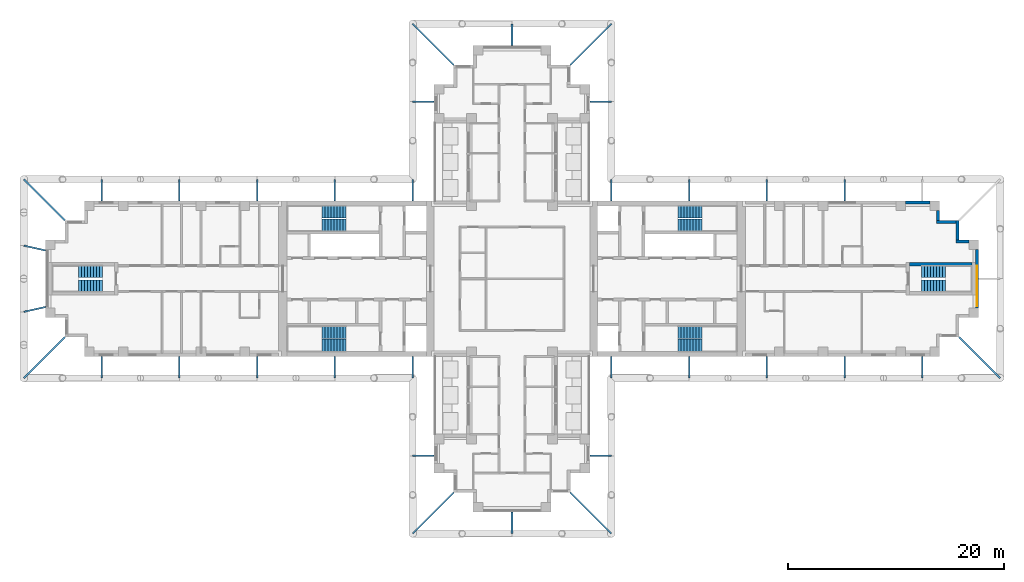
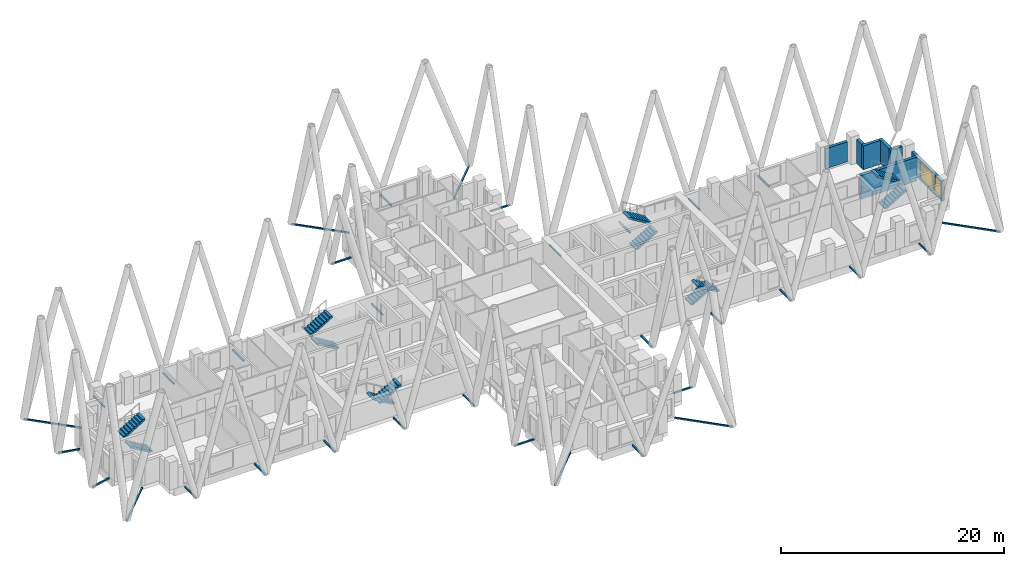
# One storey, part 10 of 13: 34 discrete accessories, 12 stair flights, 7 walls, 2 windows, 2 openings, 6 elements without a shape of their own.
"""IFC4 building model written with IfcOpenShell, lengths in metres."""

from ifc_helpers import new_model, si_unit, direction, frame, frame_2d, origin, origin_2d, place, context, subcontext, project, spatial, polyline, rectangle, hollow_rectangle, outline, extrude, material, layer, layer_set, type_object, element, fill, aggregate, save


model = new_model("IFC4")

# Units and contexts
model_context = context("Model", 3, precision=1e-05, world=origin(), true_north=direction((0.0, 1.0)))
body_context = subcontext(model_context, "Body", "Model", "MODEL_VIEW")
ifc_project = project(units=[si_unit("LENGTHUNIT", "METRE"), si_unit("AREAUNIT", "SQUARE_METRE"), si_unit("VOLUMEUNIT", "CUBIC_METRE"), si_unit("PLANEANGLEUNIT", "RADIAN"), si_unit("MASSUNIT", "GRAM", prefix="KILO")], contexts=[model_context])

# Site, building, storey
site_placement = place(None, origin())
site = spatial("IfcSite", under=ifc_project, at=site_placement, CompositionType="ELEMENT")
building_placement = place(site_placement, origin())
building = spatial("IfcBuilding", under=site, at=building_placement, Name="Fustian Cross Tower", CompositionType="ELEMENT")
storey_placement = place(building_placement, frame((0.0, 0.0, 153.300048828125)))
storey = spatial("IfcBuildingStorey", under=building, at=storey_placement, Name="L48", CompositionType="ELEMENT", Elevation=153.300048828125)

# Wall
ifc_material_1 = material(Name="Concrete C50/60", Category="concrete")
ifc_layer_1 = layer(ifc_material_1, 0.300048828125)
ifc_layer_set_1 = layer_set([ifc_layer_1], Name="Concrete C50/60")
wall_type_1 = type_object("IfcWallType", Name="STAIR ENCLOSURE WALL 300 C50/60", PredefinedType="SHEAR", material=ifc_layer_set_1)
wall_1_placement = place(storey_placement, frame((36.800048828125, 1.35009765625, 0.0), z_axis=(0.0, 0.0, 1.0), x_axis=(1.0, 0.0, 0.0)))
element("IfcWall", 1, at=wall_1_placement, inside=storey, type_object=wall_type_1, Name="Stair enclosure wall", PredefinedType="SHEAR", context=body_context, shape_type="SweptSolid", body=[
    extrude(rectangle(XDim=5.800048828125, YDim=0.300048828125, at=frame_2d((2.89990234375, 0.0))), origin(), (0.0, 0.0, 1.0), 2.599853515625),
])

# Wall, openings, windows
ifc_material_2 = material(Name="Dark aluminium cladding on insulated backing wall", Category="aluminium")
ifc_layer_2 = layer(ifc_material_2, 0.300048828125)
ifc_layer_set_2 = layer_set([ifc_layer_2], Name="Dark aluminium cladding on insulated backing wall")
wall_type_2 = type_object("IfcWallType", Name="XW1 EXTERNAL WALL 300", PredefinedType="SOLIDWALL", material=ifc_layer_set_2)
wall_2_placement = place(storey_placement, frame((43.050048828125, -2.699951171875, 0.0), z_axis=(0.0, 0.0, 1.0), x_axis=(0.0, 1.0, 0.0)))
wall_2 = element("IfcWall", 2, at=wall_2_placement, inside=storey, type_object=wall_type_2, Name="External wall", PredefinedType="SOLIDWALL", context=body_context, shape_type="SweptSolid", body=[
    extrude(rectangle(XDim=5.39990234375, YDim=0.300048828125, at=frame_2d((2.699951171875, 0.0))), origin(), (0.0, 0.0, 1.0), 2.199951171875),
])
opening_1_placement = place(wall_2_placement, frame((1.5, 0.0, 0.199951171875)))
opening_1 = element("IfcOpeningElement", 3, at=opening_1_placement, cuts=wall_2, Name="Opening WN1", PredefinedType="OPENING", context=body_context, shape_type="SweptSolid", body=[
    extrude(rectangle(XDim=2.39990234375, YDim=1.85009765625, at=frame_2d((1.199951171875, 0.925048828125))), frame((0.0, 0.159912109375, 0.0), z_axis=(0.0, -1.0, 0.0), x_axis=(1.0, 0.0, 0.0)), (0.0, 0.0, 1.0), 0.320068359375),
])
opening_2_placement = place(wall_2_placement, frame((0.14990234375, 0.0, 0.199951171875)))
opening_2 = element("IfcOpeningElement", 4, at=opening_2_placement, cuts=wall_2, Name="Opening WN3", PredefinedType="OPENING", context=body_context, shape_type="SweptSolid", body=[
    extrude(rectangle(XDim=1.199951171875, YDim=1.85009765625, at=frame_2d((0.60009765625, 0.925048828125))), frame((0.0, 0.159912109375, 0.0), z_axis=(0.0, -1.0, 0.0), x_axis=(1.0, 0.0, 0.0)), (0.0, 0.0, 1.0), 0.320068359375),
])
ifc_material_3 = material(Name="Dark anodised aluminium and double glazing", Category="aluminium")
window_type_1 = type_object("IfcWindowType", Name="WN1 WINDOW 2400X1850", PartitioningType="SINGLE_PANEL", PredefinedType="WINDOW", material=ifc_material_3)
window_1_placement = place(opening_1_placement, origin())
window_1 = element("IfcWindow", 5, at=window_1_placement, inside=storey, type_object=window_type_1, Name="Window", OverallHeight=1.85009765625, OverallWidth=2.39990234375, PartitioningType="SINGLE_PANEL", PredefinedType="WINDOW", context=body_context, shape_type="SweptSolid", body=[
    extrude(rectangle(XDim=2.39990234375, YDim=1.85009765625, at=frame_2d((1.199951171875, 0.925048828125))), frame((0.0, 0.030029296875, 0.0), z_axis=(0.0, -1.0, 0.0), x_axis=(1.0, 0.0, 0.0)), (0.0, 0.0, 1.0), 0.06005859375),
])
fill(opening_1, window_1)
ifc_material_4 = material(Name="Dark anodised aluminium and double glazing", Category="aluminium")
window_type_2 = type_object("IfcWindowType", Name="WN3 WINDOW 1200X1850", PartitioningType="SINGLE_PANEL", PredefinedType="WINDOW", material=ifc_material_4)
window_2_placement = place(opening_2_placement, origin())
window_2 = element("IfcWindow", 6, at=window_2_placement, inside=storey, type_object=window_type_2, Name="Window", OverallHeight=1.85009765625, OverallWidth=1.199951171875, PartitioningType="SINGLE_PANEL", PredefinedType="WINDOW", context=body_context, shape_type="SweptSolid", body=[
    extrude(rectangle(XDim=1.199951171875, YDim=1.85009765625, at=frame_2d((0.60009765625, 0.925048828125))), frame((0.0, 0.030029296875, 0.0), z_axis=(0.0, -1.0, 0.0), x_axis=(1.0, 0.0, 0.0)), (0.0, 0.0, 1.0), 0.06005859375),
])
fill(opening_2, window_2)

# Walls
wall_3_placement = place(storey_placement, frame((42.300048828125, 3.449951171875, 0.0), z_axis=(0.0, 0.0, 1.0), x_axis=(-1.0, 0.0, 0.0)))
element("IfcWall", 7, at=wall_3_placement, inside=storey, type_object=wall_type_2, Name="External wall", PredefinedType="SOLIDWALL", context=body_context, shape_type="SweptSolid", body=[
    extrude(rectangle(XDim=1.199951171875, YDim=0.300048828125, at=frame_2d((0.60009765625, 0.0))), origin(), (0.0, 0.0, 1.0), 2.599853515625),
])
wall_4_placement = place(storey_placement, frame((41.25, 3.60009765625, 0.0), z_axis=(0.0, 0.0, 1.0), x_axis=(0.0, 1.0, 0.0)))
element("IfcWall", 8, at=wall_4_placement, inside=storey, type_object=wall_type_2, Name="External wall", PredefinedType="SOLIDWALL", context=body_context, shape_type="SweptSolid", body=[
    extrude(rectangle(XDim=1.7998046875, YDim=0.300048828125, at=frame_2d((0.89990234375, 0.0))), origin(), (0.0, 0.0, 1.0), 2.599853515625),
])
wall_5_placement = place(storey_placement, frame((41.10009765625, 5.25, 0.0), z_axis=(0.0, 0.0, 1.0), x_axis=(-1.0, 0.0, 0.0)))
element("IfcWall", 9, at=wall_5_placement, inside=storey, type_object=wall_type_2, Name="External wall", PredefinedType="SOLIDWALL", context=body_context, shape_type="SweptSolid", body=[
    extrude(rectangle(XDim=1.800048828125, YDim=0.300048828125, at=frame_2d((0.89990234375, 0.0))), origin(), (0.0, 0.0, 1.0), 2.599853515625),
])
wall_6_placement = place(storey_placement, frame((39.449951171875, 5.39990234375, 0.0), z_axis=(0.0, 0.0, 1.0), x_axis=(0.0, 1.0, 0.0)))
element("IfcWall", 10, at=wall_6_placement, inside=storey, type_object=wall_type_2, Name="External wall", PredefinedType="SOLIDWALL", context=body_context, shape_type="SweptSolid", body=[
    extrude(rectangle(XDim=0.900146484375, YDim=0.300048828125, at=frame_2d((0.4501953125, 0.0))), origin(), (0.0, 0.0, 1.0), 2.599853515625),
])
wall_7_placement = place(storey_placement, frame((38.699951171875, 7.050048828125, 0.0), z_axis=(0.0, 0.0, 1.0), x_axis=(-1.0, 0.0, 0.0)))
element("IfcWall", 11, at=wall_7_placement, inside=storey, type_object=wall_type_2, Name="External wall", PredefinedType="SOLIDWALL", context=body_context, shape_type="SweptSolid", body=[
    extrude(rectangle(XDim=2.25, YDim=0.300048828125, at=frame_2d((1.125, 0.0))), origin(), (0.0, 0.0, 1.0), 2.199951171875),
])

# Stair, stair flights
ifc_material_5 = material(Name="Concrete C50/60", Category="concrete")
stair_type_1 = type_object("IfcStairType", Name="STAIR 1100 HALF TURN", PredefinedType="HALF_TURN_STAIR", material=ifc_material_5)
stair_1_placement = place(storey_placement, origin())
stair_1 = element("IfcStair", 12, at=stair_1_placement, inside=storey, type_object=stair_type_1, Name="Stair ST8", PredefinedType="HALF_TURN_STAIR")
ifc_material_6 = material(Name="Concrete C50/60", Category="concrete")
stair_flight_type_1 = type_object("IfcStairFlightType", Name="STAIR FLIGHT 1100", PredefinedType="STRAIGHT", material=ifc_material_6)
stair_flight_1_placement = place(storey_placement, frame((37.89990234375, -0.64990234375, 0.0), z_axis=(0.0, 0.0, 1.0), x_axis=(1.0, 0.0, 0.0)))
stair_flight_1 = element("IfcStairFlight", 13, at=stair_flight_1_placement, type_object=stair_flight_type_1, Name="ST8 flight 1", NumberOfRisers=9, NumberOfTreads=8, PredefinedType="STRAIGHT", RiserHeight=0.166666667, TreadLength=0.28, context=body_context, shape_type="SweptSolid", body=[
    extrude(outline(polyline([(0.0, 0.0), (0.0, 0.166748046875), (0.280029296875, 0.166748046875), (0.280029296875, 0.333251953125), (0.56005859375, 0.333251953125), (0.56005859375, 0.5), (0.840087890625, 0.5), (0.840087890625, 0.666748046875), (1.1201171875, 0.666748046875), (1.1201171875, 0.833251953125), (1.39990234375, 0.833251953125), (1.39990234375, 1.0), (1.679931640625, 1.0), (1.679931640625, 1.166748046875), (1.9599609375, 1.166748046875), (1.9599609375, 1.333251953125), (2.239990234375, 1.333251953125), (2.239990234375, 1.5), (2.239990234375, 1.158935546875), (0.29296875, 0.0), (0.0, 0.0)])), frame((0.0, 0.550048828125, 0.0), z_axis=(0.0, -1.0, 0.0), x_axis=(1.0, 0.0, 0.0)), (0.0, 0.0, 1.0), 1.10009765625),
])
stair_flight_2_placement = place(storey_placement, frame((40.139892578125, 0.64990234375, 1.5), z_axis=(0.0, 0.0, 1.0), x_axis=(-1.0, 0.0, 0.0)))
stair_flight_2 = element("IfcStairFlight", 14, at=stair_flight_2_placement, type_object=stair_flight_type_1, Name="ST8 flight 2", NumberOfRisers=9, NumberOfTreads=8, PredefinedType="STRAIGHT", RiserHeight=0.166666667, TreadLength=0.28, context=body_context, shape_type="SweptSolid", body=[
    extrude(outline(polyline([(0.0, 0.0), (0.0, 0.166748046875), (0.280029296875, 0.166748046875), (0.280029296875, 0.333251953125), (0.56005859375, 0.333251953125), (0.56005859375, 0.5), (0.840087890625, 0.5), (0.840087890625, 0.666748046875), (1.1201171875, 0.666748046875), (1.1201171875, 0.833251953125), (1.39990234375, 0.833251953125), (1.39990234375, 1.0), (1.679931640625, 1.0), (1.679931640625, 1.166748046875), (1.9599609375, 1.166748046875), (1.9599609375, 1.333251953125), (2.239990234375, 1.333251953125), (2.239990234375, 1.5), (2.239990234375, 1.158935546875), (0.29296875, 0.0), (0.0, 0.0)])), frame((0.0, 0.550048828125, 0.0), z_axis=(0.0, -1.0, 0.0), x_axis=(1.0, 0.0, 0.0)), (0.0, 0.0, 1.0), 1.10009765625),
])
aggregate(stair_1, [stair_flight_1, stair_flight_2])

stair_2_placement = place(storey_placement, origin())
stair_2 = element("IfcStair", 15, at=stair_2_placement, inside=storey, type_object=stair_type_1, Name="Stair ST9", PredefinedType="HALF_TURN_STAIR")
stair_flight_3_placement = place(storey_placement, frame((-37.89990234375, -0.64990234375, 0.0), z_axis=(0.0, 0.0, 1.0), x_axis=(-1.0, 0.0, 0.0)))
stair_flight_3 = element("IfcStairFlight", 16, at=stair_flight_3_placement, type_object=stair_flight_type_1, Name="ST9 flight 1", NumberOfRisers=9, NumberOfTreads=8, PredefinedType="STRAIGHT", RiserHeight=0.166666667, TreadLength=0.28, context=body_context, shape_type="SweptSolid", body=[
    extrude(outline(polyline([(0.0, 0.0), (0.0, 0.166748046875), (0.280029296875, 0.166748046875), (0.280029296875, 0.333251953125), (0.56005859375, 0.333251953125), (0.56005859375, 0.5), (0.840087890625, 0.5), (0.840087890625, 0.666748046875), (1.1201171875, 0.666748046875), (1.1201171875, 0.833251953125), (1.39990234375, 0.833251953125), (1.39990234375, 1.0), (1.679931640625, 1.0), (1.679931640625, 1.166748046875), (1.9599609375, 1.166748046875), (1.9599609375, 1.333251953125), (2.239990234375, 1.333251953125), (2.239990234375, 1.5), (2.239990234375, 1.158935546875), (0.29296875, 0.0), (0.0, 0.0)])), frame((0.0, 0.550048828125, 0.0), z_axis=(0.0, -1.0, 0.0), x_axis=(1.0, 0.0, 0.0)), (0.0, 0.0, 1.0), 1.10009765625),
])
stair_flight_4_placement = place(storey_placement, frame((-40.139892578125, 0.64990234375, 1.5), z_axis=(0.0, 0.0, 1.0), x_axis=(1.0, 0.0, 0.0)))
stair_flight_4 = element("IfcStairFlight", 17, at=stair_flight_4_placement, type_object=stair_flight_type_1, Name="ST9 flight 2", NumberOfRisers=9, NumberOfTreads=8, PredefinedType="STRAIGHT", RiserHeight=0.166666667, TreadLength=0.28, context=body_context, shape_type="SweptSolid", body=[
    extrude(outline(polyline([(0.0, 0.0), (0.0, 0.166748046875), (0.280029296875, 0.166748046875), (0.280029296875, 0.333251953125), (0.56005859375, 0.333251953125), (0.56005859375, 0.5), (0.840087890625, 0.5), (0.840087890625, 0.666748046875), (1.1201171875, 0.666748046875), (1.1201171875, 0.833251953125), (1.39990234375, 0.833251953125), (1.39990234375, 1.0), (1.679931640625, 1.0), (1.679931640625, 1.166748046875), (1.9599609375, 1.166748046875), (1.9599609375, 1.333251953125), (2.239990234375, 1.333251953125), (2.239990234375, 1.5), (2.239990234375, 1.158935546875), (0.29296875, 0.0), (0.0, 0.0)])), frame((0.0, 0.550048828125, 0.0), z_axis=(0.0, -1.0, 0.0), x_axis=(1.0, 0.0, 0.0)), (0.0, 0.0, 1.0), 1.10009765625),
])
aggregate(stair_2, [stair_flight_3, stair_flight_4])

ifc_material_7 = material(Name="Concrete C50/60", Category="concrete")
stair_type_2 = type_object("IfcStairType", Name="STAIR 1150 HALF TURN", PredefinedType="HALF_TURN_STAIR", material=ifc_material_7)
stair_3_placement = place(storey_placement, origin())
stair_3 = element("IfcStair", 18, at=stair_3_placement, inside=storey, type_object=stair_type_2, Name="Stair ST1", PredefinedType="HALF_TURN_STAIR")
ifc_material_8 = material(Name="Concrete C50/60", Category="concrete")
stair_flight_type_2 = type_object("IfcStairFlightType", Name="STAIR FLIGHT 1150", PredefinedType="STRAIGHT", material=ifc_material_8)
stair_flight_5_placement = place(storey_placement, frame((15.35009765625, 4.97509765625, 0.0), z_axis=(0.0, 0.0, 1.0), x_axis=(1.0, 0.0, 0.0)))
stair_flight_5 = element("IfcStairFlight", 19, at=stair_flight_5_placement, type_object=stair_flight_type_2, Name="ST1 flight 1", NumberOfRisers=9, NumberOfTreads=8, PredefinedType="STRAIGHT", RiserHeight=0.166666667, TreadLength=0.28, context=body_context, shape_type="SweptSolid", body=[
    extrude(outline(polyline([(0.0, 0.0), (0.0, 0.166748046875), (0.280029296875, 0.166748046875), (0.280029296875, 0.333251953125), (0.56005859375, 0.333251953125), (0.56005859375, 0.5), (0.840087890625, 0.5), (0.840087890625, 0.666748046875), (1.1201171875, 0.666748046875), (1.1201171875, 0.833251953125), (1.39990234375, 0.833251953125), (1.39990234375, 1.0), (1.679931640625, 1.0), (1.679931640625, 1.166748046875), (1.9599609375, 1.166748046875), (1.9599609375, 1.333251953125), (2.239990234375, 1.333251953125), (2.239990234375, 1.5), (2.239990234375, 1.158935546875), (0.29296875, 0.0), (0.0, 0.0)])), frame((0.0, 0.574951171875, 0.0), z_axis=(0.0, -1.0, 0.0), x_axis=(1.0, 0.0, 0.0)), (0.0, 0.0, 1.0), 1.14990234375),
])
stair_flight_6_placement = place(storey_placement, frame((17.590087890625, 6.175048828125, 1.5), z_axis=(0.0, 0.0, 1.0), x_axis=(-1.0, 0.0, 0.0)))
stair_flight_6 = element("IfcStairFlight", 20, at=stair_flight_6_placement, type_object=stair_flight_type_2, Name="ST1 flight 2", NumberOfRisers=9, NumberOfTreads=8, PredefinedType="STRAIGHT", RiserHeight=0.166666667, TreadLength=0.28, context=body_context, shape_type="SweptSolid", body=[
    extrude(outline(polyline([(0.0, 0.0), (0.0, 0.166748046875), (0.280029296875, 0.166748046875), (0.280029296875, 0.333251953125), (0.56005859375, 0.333251953125), (0.56005859375, 0.5), (0.840087890625, 0.5), (0.840087890625, 0.666748046875), (1.1201171875, 0.666748046875), (1.1201171875, 0.833251953125), (1.39990234375, 0.833251953125), (1.39990234375, 1.0), (1.679931640625, 1.0), (1.679931640625, 1.166748046875), (1.9599609375, 1.166748046875), (1.9599609375, 1.333251953125), (2.239990234375, 1.333251953125), (2.239990234375, 1.5), (2.239990234375, 1.158935546875), (0.29296875, 0.0), (0.0, 0.0)])), frame((0.0, 0.574951171875, 0.0), z_axis=(0.0, -1.0, 0.0), x_axis=(1.0, 0.0, 0.0)), (0.0, 0.0, 1.0), 1.14990234375),
])
aggregate(stair_3, [stair_flight_5, stair_flight_6])

stair_4_placement = place(storey_placement, origin())
stair_4 = element("IfcStair", 21, at=stair_4_placement, inside=storey, type_object=stair_type_2, Name="Stair ST2", PredefinedType="HALF_TURN_STAIR")
stair_flight_7_placement = place(storey_placement, frame((15.35009765625, -4.97509765625, 0.0), z_axis=(0.0, 0.0, 1.0), x_axis=(1.0, 0.0, 0.0)))
stair_flight_7 = element("IfcStairFlight", 22, at=stair_flight_7_placement, type_object=stair_flight_type_2, Name="ST2 flight 1", NumberOfRisers=9, NumberOfTreads=8, PredefinedType="STRAIGHT", RiserHeight=0.166666667, TreadLength=0.28, context=body_context, shape_type="SweptSolid", body=[
    extrude(outline(polyline([(0.0, 0.0), (0.0, 0.166748046875), (0.280029296875, 0.166748046875), (0.280029296875, 0.333251953125), (0.56005859375, 0.333251953125), (0.56005859375, 0.5), (0.840087890625, 0.5), (0.840087890625, 0.666748046875), (1.1201171875, 0.666748046875), (1.1201171875, 0.833251953125), (1.39990234375, 0.833251953125), (1.39990234375, 1.0), (1.679931640625, 1.0), (1.679931640625, 1.166748046875), (1.9599609375, 1.166748046875), (1.9599609375, 1.333251953125), (2.239990234375, 1.333251953125), (2.239990234375, 1.5), (2.239990234375, 1.158935546875), (0.29296875, 0.0), (0.0, 0.0)])), frame((0.0, 0.574951171875, 0.0), z_axis=(0.0, -1.0, 0.0), x_axis=(1.0, 0.0, 0.0)), (0.0, 0.0, 1.0), 1.14990234375),
])
stair_flight_8_placement = place(storey_placement, frame((17.590087890625, -6.175048828125, 1.5), z_axis=(0.0, 0.0, 1.0), x_axis=(-1.0, 0.0, 0.0)))
stair_flight_8 = element("IfcStairFlight", 23, at=stair_flight_8_placement, type_object=stair_flight_type_2, Name="ST2 flight 2", NumberOfRisers=9, NumberOfTreads=8, PredefinedType="STRAIGHT", RiserHeight=0.166666667, TreadLength=0.28, context=body_context, shape_type="SweptSolid", body=[
    extrude(outline(polyline([(0.0, 0.0), (0.0, 0.166748046875), (0.280029296875, 0.166748046875), (0.280029296875, 0.333251953125), (0.56005859375, 0.333251953125), (0.56005859375, 0.5), (0.840087890625, 0.5), (0.840087890625, 0.666748046875), (1.1201171875, 0.666748046875), (1.1201171875, 0.833251953125), (1.39990234375, 0.833251953125), (1.39990234375, 1.0), (1.679931640625, 1.0), (1.679931640625, 1.166748046875), (1.9599609375, 1.166748046875), (1.9599609375, 1.333251953125), (2.239990234375, 1.333251953125), (2.239990234375, 1.5), (2.239990234375, 1.158935546875), (0.29296875, 0.0), (0.0, 0.0)])), frame((0.0, 0.574951171875, 0.0), z_axis=(0.0, -1.0, 0.0), x_axis=(1.0, 0.0, 0.0)), (0.0, 0.0, 1.0), 1.14990234375),
])
aggregate(stair_4, [stair_flight_7, stair_flight_8])

stair_5_placement = place(storey_placement, origin())
stair_5 = element("IfcStair", 24, at=stair_5_placement, inside=storey, type_object=stair_type_2, Name="Stair ST3", PredefinedType="HALF_TURN_STAIR")
stair_flight_9_placement = place(storey_placement, frame((-15.35009765625, 4.97509765625, 0.0), z_axis=(0.0, 0.0, 1.0), x_axis=(-1.0, 0.0, 0.0)))
stair_flight_9 = element("IfcStairFlight", 25, at=stair_flight_9_placement, type_object=stair_flight_type_2, Name="ST3 flight 1", NumberOfRisers=9, NumberOfTreads=8, PredefinedType="STRAIGHT", RiserHeight=0.166666667, TreadLength=0.28, context=body_context, shape_type="SweptSolid", body=[
    extrude(outline(polyline([(0.0, 0.0), (0.0, 0.166748046875), (0.280029296875, 0.166748046875), (0.280029296875, 0.333251953125), (0.56005859375, 0.333251953125), (0.56005859375, 0.5), (0.840087890625, 0.5), (0.840087890625, 0.666748046875), (1.1201171875, 0.666748046875), (1.1201171875, 0.833251953125), (1.39990234375, 0.833251953125), (1.39990234375, 1.0), (1.679931640625, 1.0), (1.679931640625, 1.166748046875), (1.9599609375, 1.166748046875), (1.9599609375, 1.333251953125), (2.239990234375, 1.333251953125), (2.239990234375, 1.5), (2.239990234375, 1.158935546875), (0.29296875, 0.0), (0.0, 0.0)])), frame((0.0, 0.574951171875, 0.0), z_axis=(0.0, -1.0, 0.0), x_axis=(1.0, 0.0, 0.0)), (0.0, 0.0, 1.0), 1.14990234375),
])
stair_flight_10_placement = place(storey_placement, frame((-17.590087890625, 6.175048828125, 1.5), z_axis=(0.0, 0.0, 1.0), x_axis=(1.0, 0.0, 0.0)))
stair_flight_10 = element("IfcStairFlight", 26, at=stair_flight_10_placement, type_object=stair_flight_type_2, Name="ST3 flight 2", NumberOfRisers=9, NumberOfTreads=8, PredefinedType="STRAIGHT", RiserHeight=0.166666667, TreadLength=0.28, context=body_context, shape_type="SweptSolid", body=[
    extrude(outline(polyline([(0.0, 0.0), (0.0, 0.166748046875), (0.280029296875, 0.166748046875), (0.280029296875, 0.333251953125), (0.56005859375, 0.333251953125), (0.56005859375, 0.5), (0.840087890625, 0.5), (0.840087890625, 0.666748046875), (1.1201171875, 0.666748046875), (1.1201171875, 0.833251953125), (1.39990234375, 0.833251953125), (1.39990234375, 1.0), (1.679931640625, 1.0), (1.679931640625, 1.166748046875), (1.9599609375, 1.166748046875), (1.9599609375, 1.333251953125), (2.239990234375, 1.333251953125), (2.239990234375, 1.5), (2.239990234375, 1.158935546875), (0.29296875, 0.0), (0.0, 0.0)])), frame((0.0, 0.574951171875, 0.0), z_axis=(0.0, -1.0, 0.0), x_axis=(1.0, 0.0, 0.0)), (0.0, 0.0, 1.0), 1.14990234375),
])
aggregate(stair_5, [stair_flight_9, stair_flight_10])

stair_6_placement = place(storey_placement, origin())
stair_6 = element("IfcStair", 27, at=stair_6_placement, inside=storey, type_object=stair_type_2, Name="Stair ST4", PredefinedType="HALF_TURN_STAIR")
stair_flight_11_placement = place(storey_placement, frame((-15.35009765625, -4.97509765625, 0.0), z_axis=(0.0, 0.0, 1.0), x_axis=(-1.0, 0.0, 0.0)))
stair_flight_11 = element("IfcStairFlight", 28, at=stair_flight_11_placement, type_object=stair_flight_type_2, Name="ST4 flight 1", NumberOfRisers=9, NumberOfTreads=8, PredefinedType="STRAIGHT", RiserHeight=0.166666667, TreadLength=0.28, context=body_context, shape_type="SweptSolid", body=[
    extrude(outline(polyline([(0.0, 0.0), (0.0, 0.166748046875), (0.280029296875, 0.166748046875), (0.280029296875, 0.333251953125), (0.56005859375, 0.333251953125), (0.56005859375, 0.5), (0.840087890625, 0.5), (0.840087890625, 0.666748046875), (1.1201171875, 0.666748046875), (1.1201171875, 0.833251953125), (1.39990234375, 0.833251953125), (1.39990234375, 1.0), (1.679931640625, 1.0), (1.679931640625, 1.166748046875), (1.9599609375, 1.166748046875), (1.9599609375, 1.333251953125), (2.239990234375, 1.333251953125), (2.239990234375, 1.5), (2.239990234375, 1.158935546875), (0.29296875, 0.0), (0.0, 0.0)])), frame((0.0, 0.574951171875, 0.0), z_axis=(0.0, -1.0, 0.0), x_axis=(1.0, 0.0, 0.0)), (0.0, 0.0, 1.0), 1.14990234375),
])
stair_flight_12_placement = place(storey_placement, frame((-17.590087890625, -6.175048828125, 1.5), z_axis=(0.0, 0.0, 1.0), x_axis=(1.0, 0.0, 0.0)))
stair_flight_12 = element("IfcStairFlight", 29, at=stair_flight_12_placement, type_object=stair_flight_type_2, Name="ST4 flight 2", NumberOfRisers=9, NumberOfTreads=8, PredefinedType="STRAIGHT", RiserHeight=0.166666667, TreadLength=0.28, context=body_context, shape_type="SweptSolid", body=[
    extrude(outline(polyline([(0.0, 0.0), (0.0, 0.166748046875), (0.280029296875, 0.166748046875), (0.280029296875, 0.333251953125), (0.56005859375, 0.333251953125), (0.56005859375, 0.5), (0.840087890625, 0.5), (0.840087890625, 0.666748046875), (1.1201171875, 0.666748046875), (1.1201171875, 0.833251953125), (1.39990234375, 0.833251953125), (1.39990234375, 1.0), (1.679931640625, 1.0), (1.679931640625, 1.166748046875), (1.9599609375, 1.166748046875), (1.9599609375, 1.333251953125), (2.239990234375, 1.333251953125), (2.239990234375, 1.5), (2.239990234375, 1.158935546875), (0.29296875, 0.0), (0.0, 0.0)])), frame((0.0, 0.574951171875, 0.0), z_axis=(0.0, -1.0, 0.0), x_axis=(1.0, 0.0, 0.0)), (0.0, 0.0, 1.0), 1.14990234375),
])
aggregate(stair_6, [stair_flight_11, stair_flight_12])

# Discrete accessories
ifc_material_9 = material(Name="Steel S355", Category="steel")
for number, where, z_axis, x_axis, name in (
    (30, (30.800048828125, 9.199951171875, -0.150146484375), (0.0, -1.0, 0.0), (1.0, 0.0, 0.0), "Diagrid node bracket L48-04"),
    (31, (23.60009765625, 9.199951171875, -0.150146484375), (0.0, -1.0, 0.0), (1.0, 0.0, 0.0), "Diagrid node bracket L48-05"),
    (32, (16.39990234375, 9.199951171875, -0.150146484375), (0.0, -1.0, 0.0), (1.0, 0.0, 0.0), "Diagrid node bracket L48-06"),
    (33, (9.199951171875, 9.199951171875, -0.150146484375), (0.0, -1.0, 0.0), (1.0, 0.0, 0.0), "Diagrid node bracket L48-07"),
    (34, (9.199951171875, 16.39990234375, -0.150146484375), (-1.0, 0.0, 0.0), (0.0, -1.0, 0.0), "Diagrid node bracket L48-08"),
):
    element("IfcDiscreteAccessory", number, at=place(storey_placement, frame(where, z_axis=z_axis, x_axis=x_axis)), inside=storey, material=ifc_material_9, Name=name, PredefinedType="BRACKET", context=body_context, shape_type="SweptSolid", body=[
        extrude(hollow_rectangle(XDim=0.14990234375, YDim=0.14990234375, WallThickness=0.010009765625, at=origin_2d()), origin(), (0.0, 0.0, 1.0), 2.0),
    ])
discrete_accessory_1_placement = place(storey_placement, frame((9.199951171875, 23.60009765625, -0.150146484375), z_axis=(-0.707106781187, -0.707106781187, 0.0), x_axis=(0.707106781187, -0.707106781187, 0.0)))
element("IfcDiscreteAccessory", 35, at=discrete_accessory_1_placement, inside=storey, material=ifc_material_9, Name="Diagrid node bracket L48-09", PredefinedType="BRACKET", context=body_context, shape_type="SweptSolid", body=[
    extrude(hollow_rectangle(XDim=0.14990234375, YDim=0.14990234375, WallThickness=0.010009765625, at=origin_2d()), origin(), (0.0, 0.0, 1.0), 5.3740234375),
])
discrete_accessory_2_placement = place(storey_placement, frame((0.0, 23.60009765625, -0.150146484375), z_axis=(0.0, -1.0, 0.0), x_axis=(1.0, 0.0, 0.0)))
element("IfcDiscreteAccessory", 36, at=discrete_accessory_2_placement, inside=storey, material=ifc_material_9, Name="Diagrid node bracket L48-10", PredefinedType="BRACKET", context=body_context, shape_type="SweptSolid", body=[
    extrude(hollow_rectangle(XDim=0.14990234375, YDim=0.14990234375, WallThickness=0.010009765625, at=origin_2d()), origin(), (0.0, 0.0, 1.0), 2.0),
])
discrete_accessory_3_placement = place(storey_placement, frame((-9.199951171875, 23.60009765625, -0.150146484375), z_axis=(0.707106781187, -0.707106781187, 0.0), x_axis=(0.707106781187, 0.707106781187, 0.0)))
element("IfcDiscreteAccessory", 37, at=discrete_accessory_3_placement, inside=storey, material=ifc_material_9, Name="Diagrid node bracket L48-11", PredefinedType="BRACKET", context=body_context, shape_type="SweptSolid", body=[
    extrude(hollow_rectangle(XDim=0.14990234375, YDim=0.14990234375, WallThickness=0.010009765625, at=origin_2d()), origin(), (0.0, 0.0, 1.0), 5.3740234375),
])
for number, where, z_axis, x_axis, name in (
    (38, (-9.199951171875, 16.39990234375, -0.150146484375), (1.0, 0.0, 0.0), (0.0, 1.0, 0.0), "Diagrid node bracket L48-12"),
    (39, (-9.199951171875, 9.199951171875, -0.150146484375), (0.0, -1.0, 0.0), (1.0, 0.0, 0.0), "Diagrid node bracket L48-13"),
    (40, (-16.39990234375, 9.199951171875, -0.150146484375), (0.0, -1.0, 0.0), (1.0, 0.0, 0.0), "Diagrid node bracket L48-14"),
    (41, (-23.60009765625, 9.199951171875, -0.150146484375), (0.0, -1.0, 0.0), (1.0, 0.0, 0.0), "Diagrid node bracket L48-15"),
    (42, (-30.800048828125, 9.199951171875, -0.150146484375), (0.0, -1.0, 0.0), (1.0, 0.0, 0.0), "Diagrid node bracket L48-16"),
    (43, (-38.0, 9.199951171875, -0.150146484375), (0.0, -1.0, 0.0), (1.0, 0.0, 0.0), "Diagrid node bracket L48-17"),
):
    element("IfcDiscreteAccessory", number, at=place(storey_placement, frame(where, z_axis=z_axis, x_axis=x_axis)), inside=storey, material=ifc_material_9, Name=name, PredefinedType="BRACKET", context=body_context, shape_type="SweptSolid", body=[
        extrude(hollow_rectangle(XDim=0.14990234375, YDim=0.14990234375, WallThickness=0.010009765625, at=origin_2d()), origin(), (0.0, 0.0, 1.0), 2.0),
    ])
discrete_accessory_4_placement = place(storey_placement, frame((-45.199951171875, 9.199951171875, -0.150146484375), z_axis=(0.707106781187, -0.707106781187, 0.0), x_axis=(0.707106781187, 0.707106781187, 0.0)))
element("IfcDiscreteAccessory", 44, at=discrete_accessory_4_placement, inside=storey, material=ifc_material_9, Name="Diagrid node bracket L48-18", PredefinedType="BRACKET", context=body_context, shape_type="SweptSolid", body=[
    extrude(hollow_rectangle(XDim=0.14990234375, YDim=0.14990234375, WallThickness=0.010009765625, at=origin_2d()), origin(), (0.0, 0.0, 1.0), 5.3740234375),
])
for number, where, z_axis, x_axis, name in (
    (45, (-45.199951171875, 3.066650390625, -0.150146484375), (0.97561485681, -0.21948952406, 0.0), (0.21948952406, 0.97561485681, 0.0), "Diagrid node bracket L48-19"),
    (46, (-45.199951171875, -3.066650390625, -0.150146484375), (0.97561485681, 0.21948952406, 0.0), (-0.21948952406, 0.97561485681, 0.0), "Diagrid node bracket L48-20"),
):
    element("IfcDiscreteAccessory", number, at=place(storey_placement, frame(where, z_axis=z_axis, x_axis=x_axis)), inside=storey, material=ifc_material_9, Name=name, PredefinedType="BRACKET", context=body_context, shape_type="SweptSolid", body=[
        extrude(hollow_rectangle(XDim=0.14990234375, YDim=0.14990234375, WallThickness=0.010009765625, at=origin_2d()), origin(), (0.0, 0.0, 1.0), 2.050048828125),
    ])
discrete_accessory_5_placement = place(storey_placement, frame((-45.199951171875, -9.199951171875, -0.150146484375), z_axis=(0.707106781187, 0.707106781187, 0.0), x_axis=(-0.707106781187, 0.707106781187, 0.0)))
element("IfcDiscreteAccessory", 47, at=discrete_accessory_5_placement, inside=storey, material=ifc_material_9, Name="Diagrid node bracket L48-21", PredefinedType="BRACKET", context=body_context, shape_type="SweptSolid", body=[
    extrude(hollow_rectangle(XDim=0.14990234375, YDim=0.14990234375, WallThickness=0.010009765625, at=origin_2d()), origin(), (0.0, 0.0, 1.0), 5.3740234375),
])
for number, where, z_axis, x_axis, name in (
    (48, (-38.0, -9.199951171875, -0.150146484375), (0.0, 1.0, 0.0), (-1.0, 0.0, 0.0), "Diagrid node bracket L48-22"),
    (49, (-30.800048828125, -9.199951171875, -0.150146484375), (0.0, 1.0, 0.0), (-1.0, 0.0, 0.0), "Diagrid node bracket L48-23"),
    (50, (-23.60009765625, -9.199951171875, -0.150146484375), (0.0, 1.0, 0.0), (-1.0, 0.0, 0.0), "Diagrid node bracket L48-24"),
    (51, (-16.39990234375, -9.199951171875, -0.150146484375), (0.0, 1.0, 0.0), (-1.0, 0.0, 0.0), "Diagrid node bracket L48-25"),
    (52, (-9.199951171875, -9.199951171875, -0.150146484375), (0.0, 1.0, 0.0), (-1.0, 0.0, 0.0), "Diagrid node bracket L48-26"),
    (53, (-9.199951171875, -16.39990234375, -0.150146484375), (1.0, 0.0, 0.0), (0.0, 1.0, 0.0), "Diagrid node bracket L48-27"),
):
    element("IfcDiscreteAccessory", number, at=place(storey_placement, frame(where, z_axis=z_axis, x_axis=x_axis)), inside=storey, material=ifc_material_9, Name=name, PredefinedType="BRACKET", context=body_context, shape_type="SweptSolid", body=[
        extrude(hollow_rectangle(XDim=0.14990234375, YDim=0.14990234375, WallThickness=0.010009765625, at=origin_2d()), origin(), (0.0, 0.0, 1.0), 2.0),
    ])
discrete_accessory_6_placement = place(storey_placement, frame((-9.199951171875, -23.60009765625, -0.150146484375), z_axis=(0.707106781187, 0.707106781187, 0.0), x_axis=(-0.707106781187, 0.707106781187, 0.0)))
element("IfcDiscreteAccessory", 54, at=discrete_accessory_6_placement, inside=storey, material=ifc_material_9, Name="Diagrid node bracket L48-28", PredefinedType="BRACKET", context=body_context, shape_type="SweptSolid", body=[
    extrude(hollow_rectangle(XDim=0.14990234375, YDim=0.14990234375, WallThickness=0.010009765625, at=origin_2d()), origin(), (0.0, 0.0, 1.0), 5.3740234375),
])
discrete_accessory_7_placement = place(storey_placement, frame((0.0, -23.60009765625, -0.150146484375), z_axis=(0.0, 1.0, 0.0), x_axis=(-1.0, 0.0, 0.0)))
element("IfcDiscreteAccessory", 55, at=discrete_accessory_7_placement, inside=storey, material=ifc_material_9, Name="Diagrid node bracket L48-29", PredefinedType="BRACKET", context=body_context, shape_type="SweptSolid", body=[
    extrude(hollow_rectangle(XDim=0.14990234375, YDim=0.14990234375, WallThickness=0.010009765625, at=origin_2d()), origin(), (0.0, 0.0, 1.0), 2.0),
])
discrete_accessory_8_placement = place(storey_placement, frame((9.199951171875, -23.60009765625, -0.150146484375), z_axis=(-0.707106781187, 0.707106781187, 0.0), x_axis=(-0.707106781187, -0.707106781187, 0.0)))
element("IfcDiscreteAccessory", 56, at=discrete_accessory_8_placement, inside=storey, material=ifc_material_9, Name="Diagrid node bracket L48-30", PredefinedType="BRACKET", context=body_context, shape_type="SweptSolid", body=[
    extrude(hollow_rectangle(XDim=0.14990234375, YDim=0.14990234375, WallThickness=0.010009765625, at=origin_2d()), origin(), (0.0, 0.0, 1.0), 5.3740234375),
])
for number, where, z_axis, x_axis, name in (
    (57, (9.199951171875, -16.39990234375, -0.150146484375), (-1.0, 0.0, 0.0), (0.0, -1.0, 0.0), "Diagrid node bracket L48-31"),
    (58, (9.199951171875, -9.199951171875, -0.150146484375), (0.0, 1.0, 0.0), (-1.0, 0.0, 0.0), "Diagrid node bracket L48-32"),
    (59, (16.39990234375, -9.199951171875, -0.150146484375), (0.0, 1.0, 0.0), (-1.0, 0.0, 0.0), "Diagrid node bracket L48-33"),
    (60, (23.60009765625, -9.199951171875, -0.150146484375), (0.0, 1.0, 0.0), (-1.0, 0.0, 0.0), "Diagrid node bracket L48-34"),
    (61, (30.800048828125, -9.199951171875, -0.150146484375), (0.0, 1.0, 0.0), (-1.0, 0.0, 0.0), "Diagrid node bracket L48-35"),
    (62, (38.0, -9.199951171875, -0.150146484375), (0.0, 1.0, 0.0), (-1.0, 0.0, 0.0), "Diagrid node bracket L48-36"),
):
    element("IfcDiscreteAccessory", number, at=place(storey_placement, frame(where, z_axis=z_axis, x_axis=x_axis)), inside=storey, material=ifc_material_9, Name=name, PredefinedType="BRACKET", context=body_context, shape_type="SweptSolid", body=[
        extrude(hollow_rectangle(XDim=0.14990234375, YDim=0.14990234375, WallThickness=0.010009765625, at=origin_2d()), origin(), (0.0, 0.0, 1.0), 2.0),
    ])
discrete_accessory_9_placement = place(storey_placement, frame((45.199951171875, -9.199951171875, -0.150146484375), z_axis=(-0.707106781187, 0.707106781187, 0.0), x_axis=(-0.707106781187, -0.707106781187, 0.0)))
element("IfcDiscreteAccessory", 63, at=discrete_accessory_9_placement, inside=storey, material=ifc_material_9, Name="Diagrid node bracket L48-37", PredefinedType="BRACKET", context=body_context, shape_type="SweptSolid", body=[
    extrude(hollow_rectangle(XDim=0.14990234375, YDim=0.14990234375, WallThickness=0.010009765625, at=origin_2d()), origin(), (0.0, 0.0, 1.0), 5.3740234375),
])

save(model, "model.ifc")
